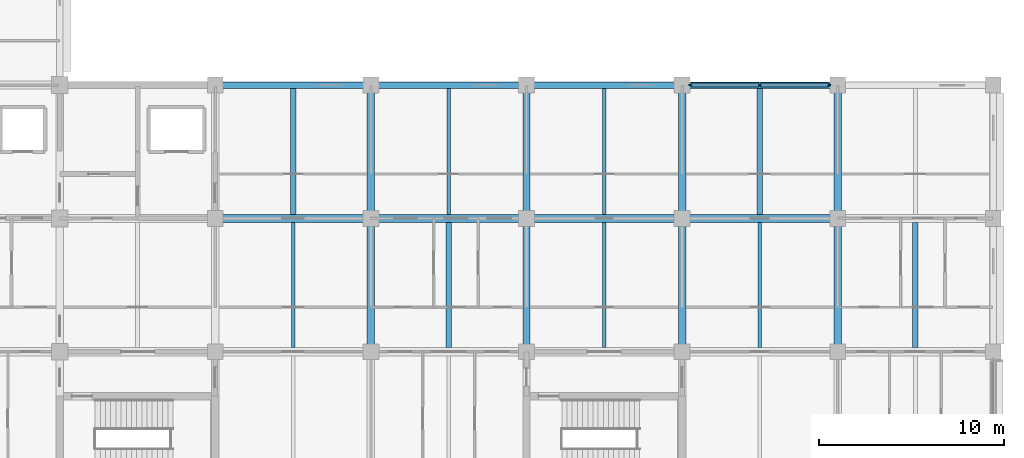
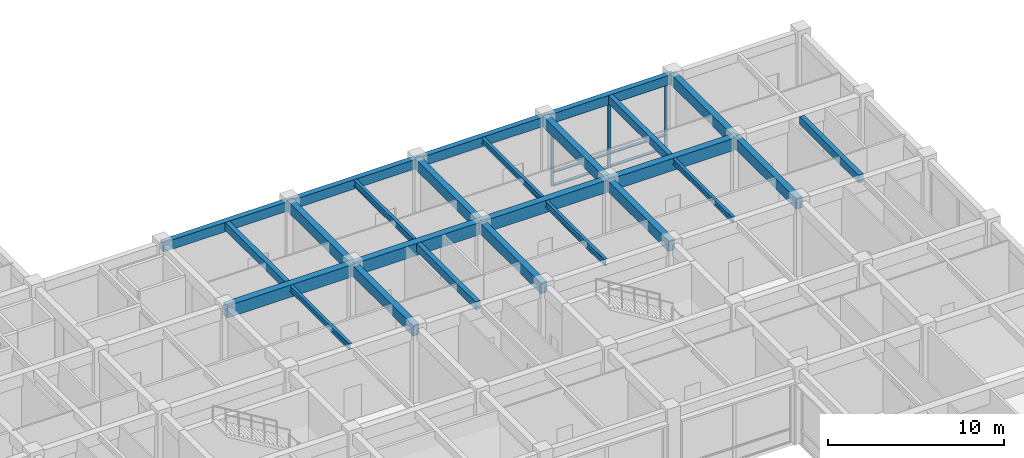
# One storey, part 16 of 51: 25 beams, 9 members, 1 element without a shape of its own.
"""IFC4 building model written with IfcOpenShell, lengths in metres."""

from ifc_helpers import new_model, si_unit, direction, frame, origin, origin_2d, place, context, subcontext, project, spatial, rectangle, i_section, extrude, material, layer, layer_set, material_profile, profile_set, type_object, element, aggregate, save


model = new_model("IFC4")

# Units and contexts
model_context = context("Model", 3, precision=1e-05, world=origin(), true_north=direction((0.0, 1.0)))
body_context = subcontext(model_context, "Body", "Model", "MODEL_VIEW")
ifc_project = project(units=[si_unit("LENGTHUNIT", "METRE"), si_unit("AREAUNIT", "SQUARE_METRE"), si_unit("VOLUMEUNIT", "CUBIC_METRE"), si_unit("PLANEANGLEUNIT", "RADIAN"), si_unit("MASSUNIT", "GRAM", prefix="KILO")], contexts=[model_context])

# Site, building, storey
site_placement = place(None, origin())
site = spatial("IfcSite", under=ifc_project, at=site_placement, CompositionType="ELEMENT")
building_placement = place(site_placement, origin())
building = spatial("IfcBuilding", under=site, at=building_placement, Name="Chengyuan Square Courthouse", CompositionType="ELEMENT")
storey_placement = place(building_placement, frame((0.0, 0.0, 10.800048828125)))
storey = spatial("IfcBuildingStorey", under=building, at=storey_placement, Name="L03", CompositionType="ELEMENT", Elevation=10.800048828125)

# Beams
ifc_material_1 = material(Name="Concrete C40", Category="concrete")
ifc_material_profile_1 = material_profile(ifc_material_1, rectangle(XDim=0.449951171875, YDim=0.85009765625, at=origin_2d()), Name="RC-BM-450x850")
ifc_profile_set_1 = profile_set([ifc_material_profile_1], Name="Concrete C40")
beam_type_1 = type_object("IfcBeamType", Name="BM-01", PredefinedType="USERDEFINED", material=ifc_profile_set_1)
beam_1_placement = place(storey_placement, frame((126.0, 100.800048828125, 4.695068359375), z_axis=(1.0, 0.0, 0.0), x_axis=(0.0, 1.0, 0.0)))
element("IfcBeam", 1, at=beam_1_placement, inside=storey, type_object=beam_type_1, Name="Girder BM-L03-2599", ObjectType="GIRDER", PredefinedType="USERDEFINED", context=body_context, shape_type="SweptSolid", body=[
    extrude(rectangle(XDim=0.449951171875, YDim=0.85009765625, at=origin_2d()), origin(), (0.0, 0.0, 1.0), 8.39990234375),
])
beam_2_placement = place(storey_placement, frame((134.39990234375, 100.800048828125, 4.695068359375), z_axis=(1.0, 0.0, 0.0), x_axis=(0.0, 1.0, 0.0)))
element("IfcBeam", 2, at=beam_2_placement, inside=storey, type_object=beam_type_1, Name="Girder BM-L03-2600", ObjectType="GIRDER", PredefinedType="USERDEFINED", context=body_context, shape_type="SweptSolid", body=[
    extrude(rectangle(XDim=0.449951171875, YDim=0.85009765625, at=origin_2d()), origin(), (0.0, 0.0, 1.0), 8.400146484375),
])
beam_3_placement = place(storey_placement, frame((142.800048828125, 100.800048828125, 4.695068359375), z_axis=(1.0, 0.0, 0.0), x_axis=(0.0, 1.0, 0.0)))
element("IfcBeam", 3, at=beam_3_placement, inside=storey, type_object=beam_type_1, Name="Girder BM-L03-2601", ObjectType="GIRDER", PredefinedType="USERDEFINED", context=body_context, shape_type="SweptSolid", body=[
    extrude(rectangle(XDim=0.449951171875, YDim=0.85009765625, at=origin_2d()), origin(), (0.0, 0.0, 1.0), 8.39990234375),
])
beam_4_placement = place(storey_placement, frame((151.199951171875, 100.800048828125, 4.695068359375), z_axis=(1.0, 0.0, 0.0), x_axis=(0.0, 1.0, 0.0)))
element("IfcBeam", 4, at=beam_4_placement, inside=storey, type_object=beam_type_1, Name="Girder BM-L03-2602", ObjectType="GIRDER", PredefinedType="USERDEFINED", context=body_context, shape_type="SweptSolid", body=[
    extrude(rectangle(XDim=0.449951171875, YDim=0.85009765625, at=origin_2d()), origin(), (0.0, 0.0, 1.0), 8.400146484375),
])
ifc_material_profile_2 = material_profile(ifc_material_1, rectangle(XDim=0.39990234375, YDim=0.75, at=origin_2d()), Name="RC-BM-400x750")
ifc_profile_set_2 = profile_set([ifc_material_profile_2], Name="Concrete C40")
beam_type_2 = type_object("IfcBeamType", Name="BM-02", PredefinedType="USERDEFINED", material=ifc_profile_set_2)
for number, where, z_axis, x_axis, name in (
    (5, (134.39990234375, 93.60009765625, 4.744873046875), (0.0, 1.0, 0.0), (-1.0, 0.0, 0.0), "Girder BM-L03-2723"),
    (6, (134.39990234375, 100.800048828125, 4.744873046875), (0.0, 1.0, 0.0), (-1.0, 0.0, 0.0), "Girder BM-L03-2724"),
    (7, (142.800048828125, 93.60009765625, 4.744873046875), (0.0, 1.0, 0.0), (-1.0, 0.0, 0.0), "Girder BM-L03-2727"),
    (8, (142.800048828125, 100.800048828125, 4.744873046875), (0.0, 1.0, 0.0), (-1.0, 0.0, 0.0), "Girder BM-L03-2728"),
    (9, (151.199951171875, 93.60009765625, 4.744873046875), (0.0, 1.0, 0.0), (-1.0, 0.0, 0.0), "Girder BM-L03-2737"),
    (10, (151.199951171875, 100.800048828125, 4.744873046875), (0.0, 1.0, 0.0), (-1.0, 0.0, 0.0), "Girder BM-L03-2738"),
    (11, (159.60009765625, 93.60009765625, 4.744873046875), (0.0, 1.0, 0.0), (-1.0, 0.0, 0.0), "Girder BM-L03-2741"),
    (12, (159.60009765625, 100.800048828125, 4.744873046875), (0.0, 1.0, 0.0), (-1.0, 0.0, 0.0), "Girder BM-L03-2742"),
):
    element("IfcBeam", number, at=place(storey_placement, frame(where, z_axis=z_axis, x_axis=x_axis)), inside=storey, type_object=beam_type_2, Name=name, ObjectType="GIRDER", PredefinedType="USERDEFINED", context=body_context, shape_type="SweptSolid", body=[
        extrude(rectangle(XDim=0.39990234375, YDim=0.75, at=origin_2d()), origin(), (0.0, 0.0, 1.0), 7.199951171875),
    ])
ifc_material_profile_3 = material_profile(ifc_material_1, rectangle(XDim=0.35009765625, YDim=0.64990234375, at=origin_2d()), Name="RC-BM-350x650")
ifc_profile_set_3 = profile_set([ifc_material_profile_3], Name="Concrete C40")
beam_type_3 = type_object("IfcBeamType", Name="BM-03", PredefinedType="SPANDREL", material=ifc_profile_set_3)
beam_5_placement = place(storey_placement, frame((126.0, 108.0, 4.794921875), z_axis=(1.0, 0.0, 0.0), x_axis=(0.0, 1.0, 0.0)))
element("IfcBeam", 13, at=beam_5_placement, inside=storey, type_object=beam_type_3, Name="Girder BM-L03-2619", PredefinedType="SPANDREL", context=body_context, shape_type="SweptSolid", body=[
    extrude(rectangle(XDim=0.35009765625, YDim=0.64990234375, at=origin_2d()), origin(), (0.0, 0.0, 1.0), 8.39990234375),
])
beam_6_placement = place(storey_placement, frame((134.39990234375, 108.0, 4.794921875), z_axis=(1.0, 0.0, 0.0), x_axis=(0.0, 1.0, 0.0)))
element("IfcBeam", 14, at=beam_6_placement, inside=storey, type_object=beam_type_3, Name="Girder BM-L03-2620", PredefinedType="SPANDREL", context=body_context, shape_type="SweptSolid", body=[
    extrude(rectangle(XDim=0.35009765625, YDim=0.64990234375, at=origin_2d()), origin(), (0.0, 0.0, 1.0), 8.400146484375),
])
beam_7_placement = place(storey_placement, frame((142.800048828125, 108.0, 4.794921875), z_axis=(1.0, 0.0, 0.0), x_axis=(0.0, 1.0, 0.0)))
element("IfcBeam", 15, at=beam_7_placement, inside=storey, type_object=beam_type_3, Name="Girder BM-L03-2621", PredefinedType="SPANDREL", context=body_context, shape_type="SweptSolid", body=[
    extrude(rectangle(XDim=0.35009765625, YDim=0.64990234375, at=origin_2d()), origin(), (0.0, 0.0, 1.0), 8.39990234375),
])
beam_8_placement = place(storey_placement, frame((151.199951171875, 108.0, 4.794921875), z_axis=(1.0, 0.0, 0.0), x_axis=(0.0, 1.0, 0.0)))
element("IfcBeam", 16, at=beam_8_placement, inside=storey, type_object=beam_type_3, Name="Girder BM-L03-2622", PredefinedType="SPANDREL", context=body_context, shape_type="SweptSolid", body=[
    extrude(rectangle(XDim=0.35009765625, YDim=0.64990234375, at=origin_2d()), origin(), (0.0, 0.0, 1.0), 8.400146484375),
])
ifc_material_profile_4 = material_profile(ifc_material_1, rectangle(XDim=0.300048828125, YDim=0.550048828125, at=origin_2d()), Name="RC-BM-300x550")
ifc_profile_set_4 = profile_set([ifc_material_profile_4], Name="Concrete C40")
beam_type_4 = type_object("IfcBeamType", Name="BM-04", PredefinedType="BEAM", material=ifc_profile_set_4)
beam_9_placement = place(storey_placement, frame((130.199951171875, 101.02490234375, 4.844970703125), z_axis=(0.0, 1.0, 0.0), x_axis=(-1.0, 0.0, 0.0)))
element("IfcBeam", 17, at=beam_9_placement, inside=storey, type_object=beam_type_4, Name="Secondary Floor Beam SBM-L03-2820", PredefinedType="BEAM", context=body_context, shape_type="SweptSolid", body=[
    extrude(rectangle(XDim=0.300048828125, YDim=0.550048828125, at=origin_2d()), origin(), (0.0, 0.0, 1.0), 6.800048828125),
])
beam_10_placement = place(storey_placement, frame((138.60009765625, 93.824951171875, 4.844970703125), z_axis=(0.0, 1.0, 0.0), x_axis=(-1.0, 0.0, 0.0)))
element("IfcBeam", 18, at=beam_10_placement, inside=storey, type_object=beam_type_4, Name="Secondary Floor Beam SBM-L03-2823", PredefinedType="BEAM", context=body_context, shape_type="SweptSolid", body=[
    extrude(rectangle(XDim=0.300048828125, YDim=0.550048828125, at=origin_2d()), origin(), (0.0, 0.0, 1.0), 6.75),
])
beam_11_placement = place(storey_placement, frame((155.39990234375, 101.02490234375, 4.844970703125), z_axis=(0.0, 1.0, 0.0), x_axis=(-1.0, 0.0, 0.0)))
element("IfcBeam", 19, at=beam_11_placement, inside=storey, type_object=beam_type_4, Name="Secondary Floor Beam SBM-L03-2834", PredefinedType="BEAM", context=body_context, shape_type="SweptSolid", body=[
    extrude(rectangle(XDim=0.300048828125, YDim=0.550048828125, at=origin_2d()), origin(), (0.0, 0.0, 1.0), 6.800048828125),
])
beam_12_placement = place(storey_placement, frame((163.800048828125, 93.824951171875, 4.844970703125), z_axis=(0.0, 1.0, 0.0), x_axis=(-1.0, 0.0, 0.0)))
element("IfcBeam", 20, at=beam_12_placement, inside=storey, type_object=beam_type_4, Name="Secondary Floor Beam SBM-L03-2841", PredefinedType="BEAM", context=body_context, shape_type="SweptSolid", body=[
    extrude(rectangle(XDim=0.300048828125, YDim=0.550048828125, at=origin_2d()), origin(), (0.0, 0.0, 1.0), 6.75),
])
ifc_material_2 = material(Name="Steel Q355B", Category="steel")
ifc_material_profile_5 = material_profile(ifc_material_2, i_section(OverallWidth=0.199951171875, OverallDepth=0.449951171875, WebThickness=0.009033203125, FlangeThickness=0.013916015625, at=origin_2d()), Name="HN 450x200x9x14")
ifc_profile_set_5 = profile_set([ifc_material_profile_5], Name="Steel Q355B")
beam_type_5 = type_object("IfcBeamType", Name="BM-06", PredefinedType="BEAM", material=ifc_profile_set_5)
beam_13_placement = place(storey_placement, frame((138.60009765625, 101.02490234375, 4.89501953125), z_axis=(0.0, 1.0, 0.0), x_axis=(-1.0, 0.0, 0.0)))
element("IfcBeam", 21, at=beam_13_placement, inside=storey, type_object=beam_type_5, Name="Secondary Floor Beam SBM-L03-2824", PredefinedType="BEAM", context=body_context, shape_type="SweptSolid", body=[
    extrude(i_section(OverallWidth=0.199951171875, OverallDepth=0.449951171875, WebThickness=0.009033203125, FlangeThickness=0.013916015625, at=origin_2d()), origin(), (0.0, 0.0, 1.0), 6.800048828125),
])
beam_14_placement = place(storey_placement, frame((147.0, 93.824951171875, 4.89501953125), z_axis=(0.0, 1.0, 0.0), x_axis=(-1.0, 0.0, 0.0)))
element("IfcBeam", 22, at=beam_14_placement, inside=storey, type_object=beam_type_5, Name="Secondary Floor Beam SBM-L03-2826", PredefinedType="BEAM", context=body_context, shape_type="SweptSolid", body=[
    extrude(i_section(OverallWidth=0.199951171875, OverallDepth=0.449951171875, WebThickness=0.009033203125, FlangeThickness=0.013916015625, at=origin_2d()), origin(), (0.0, 0.0, 1.0), 6.75),
])
ifc_material_profile_6 = material_profile(ifc_material_2, i_section(OverallWidth=0.199951171875, OverallDepth=0.39990234375, WebThickness=0.008056640625, FlangeThickness=0.012939453125, at=origin_2d()), Name="HN 400x200x8x13")
ifc_profile_set_6 = profile_set([ifc_material_profile_6], Name="Steel Q355B")
beam_type_6 = type_object("IfcBeamType", Name="BM-07", PredefinedType="BEAM", material=ifc_profile_set_6)
beam_15_placement = place(storey_placement, frame((130.199951171875, 93.824951171875, 4.919921875), z_axis=(0.0, 1.0, 0.0), x_axis=(-1.0, 0.0, 0.0)))
element("IfcBeam", 23, at=beam_15_placement, inside=storey, type_object=beam_type_6, Name="Secondary Floor Beam SBM-L03-2819", PredefinedType="BEAM", context=body_context, shape_type="SweptSolid", body=[
    extrude(i_section(OverallWidth=0.199951171875, OverallDepth=0.39990234375, WebThickness=0.008056640625, FlangeThickness=0.012939453125, at=origin_2d()), origin(), (0.0, 0.0, 1.0), 6.75),
])
beam_16_placement = place(storey_placement, frame((147.0, 101.02490234375, 4.919921875), z_axis=(0.0, 1.0, 0.0), x_axis=(-1.0, 0.0, 0.0)))
element("IfcBeam", 24, at=beam_16_placement, inside=storey, type_object=beam_type_6, Name="Secondary Floor Beam SBM-L03-2827", PredefinedType="BEAM", context=body_context, shape_type="SweptSolid", body=[
    extrude(i_section(OverallWidth=0.199951171875, OverallDepth=0.39990234375, WebThickness=0.008056640625, FlangeThickness=0.012939453125, at=origin_2d()), origin(), (0.0, 0.0, 1.0), 6.800048828125),
])
beam_17_placement = place(storey_placement, frame((155.39990234375, 93.824951171875, 4.919921875), z_axis=(0.0, 1.0, 0.0), x_axis=(-1.0, 0.0, 0.0)))
element("IfcBeam", 25, at=beam_17_placement, inside=storey, type_object=beam_type_6, Name="Secondary Floor Beam SBM-L03-2833", PredefinedType="BEAM", context=body_context, shape_type="SweptSolid", body=[
    extrude(i_section(OverallWidth=0.199951171875, OverallDepth=0.39990234375, WebThickness=0.008056640625, FlangeThickness=0.012939453125, at=origin_2d()), origin(), (0.0, 0.0, 1.0), 6.75),
])

# Curtain wall, members
ifc_material_3 = material(Name="Unitised Aluminium and Triple Low-E Glass", Category="aluminium")
ifc_layer = layer(ifc_material_3, 0.199951171875)
ifc_layer_set = layer_set([ifc_layer], Name="Unitised Aluminium and Triple Low-E Glass")
curtain_wall_type = type_object("IfcCurtainWallType", Name="CW-07", PredefinedType="USERDEFINED", material=ifc_layer_set)
curtain_wall_placement = place(storey_placement, origin())
curtain_wall = element("IfcCurtainWall", 26, at=curtain_wall_placement, inside=storey, type_object=curtain_wall_type, Name="Unitised Curtain Wall CW-L03-122", ObjectType="UNITISED CURTAIN WALL", PredefinedType="USERDEFINED")
ifc_material_4 = material(Name="Aluminium 6063-T6 Frame", Category="aluminium")
ifc_material_profile_7 = material_profile(ifc_material_4, rectangle(XDim=0.070068359375, YDim=0.199951171875, at=origin_2d()), Name="CW-MUL-70x200")
ifc_profile_set_7 = profile_set([ifc_material_profile_7], Name="Aluminium 6063-T6 Frame")
member_type_1 = type_object("IfcMemberType", Name="CWM-03", PredefinedType="MULLION", material=ifc_profile_set_7)
member_1_placement = place(storey_placement, frame((151.659912109375, 108.0, 0.0), z_axis=(0.0, 0.0, 1.0), x_axis=(0.0, 1.0, 0.0)))
member_1 = element("IfcMember", 27, at=member_1_placement, type_object=member_type_1, Name="CW-07 mullion 1", PredefinedType="MULLION", context=body_context, shape_type="SweptSolid", body=[
    extrude(rectangle(XDim=0.070068359375, YDim=0.199951171875, at=origin_2d()), origin(), (0.0, 0.0, 1.0), 4.469970703125),
])
member_2_placement = place(storey_placement, frame((155.39990234375, 108.0, 0.0), z_axis=(0.0, 0.0, 1.0), x_axis=(0.0, 1.0, 0.0)))
member_2 = element("IfcMember", 28, at=member_2_placement, type_object=member_type_1, Name="CW-07 mullion 2", PredefinedType="MULLION", context=body_context, shape_type="SweptSolid", body=[
    extrude(rectangle(XDim=0.070068359375, YDim=0.199951171875, at=origin_2d()), origin(), (0.0, 0.0, 1.0), 4.469970703125),
])
member_3_placement = place(storey_placement, frame((159.139892578125, 108.0, 0.0), z_axis=(0.0, 0.0, 1.0), x_axis=(0.0, 1.0, 0.0)))
member_3 = element("IfcMember", 29, at=member_3_placement, type_object=member_type_1, Name="CW-07 mullion 3", PredefinedType="MULLION", context=body_context, shape_type="SweptSolid", body=[
    extrude(rectangle(XDim=0.070068359375, YDim=0.199951171875, at=origin_2d()), origin(), (0.0, 0.0, 1.0), 4.469970703125),
])
ifc_material_profile_8 = material_profile(ifc_material_4, rectangle(XDim=0.199951171875, YDim=0.070068359375, at=origin_2d()), Name="CW-TRN-70x160")
ifc_profile_set_8 = profile_set([ifc_material_profile_8], Name="Aluminium 6063-T6 Frame")
member_type_2 = type_object("IfcMemberType", Name="CWT-03", PredefinedType="USERDEFINED", material=ifc_profile_set_8)
member_4_placement = place(storey_placement, frame((151.695068359375, 108.0, 0.034912109375), z_axis=(1.0, 0.0, 0.0), x_axis=(0.0, 1.0, 0.0)))
member_4 = element("IfcMember", 30, at=member_4_placement, type_object=member_type_2, Name="CW-07 transom 1.1", ObjectType="TRANSOM", PredefinedType="USERDEFINED", context=body_context, shape_type="SweptSolid", body=[
    extrude(rectangle(XDim=0.199951171875, YDim=0.070068359375, at=origin_2d()), origin(), (0.0, 0.0, 1.0), 3.669921875),
])
member_5_placement = place(storey_placement, frame((151.695068359375, 108.0, 0.949951171875), z_axis=(1.0, 0.0, 0.0), x_axis=(0.0, 1.0, 0.0)))
member_5 = element("IfcMember", 31, at=member_5_placement, type_object=member_type_2, Name="CW-07 transom 1.2", ObjectType="TRANSOM", PredefinedType="USERDEFINED", context=body_context, shape_type="SweptSolid", body=[
    extrude(rectangle(XDim=0.199951171875, YDim=0.070068359375, at=origin_2d()), origin(), (0.0, 0.0, 1.0), 3.669921875),
])
member_6_placement = place(storey_placement, frame((151.695068359375, 108.0, 4.43505859375), z_axis=(1.0, 0.0, 0.0), x_axis=(0.0, 1.0, 0.0)))
member_6 = element("IfcMember", 32, at=member_6_placement, type_object=member_type_2, Name="CW-07 transom 1.3", ObjectType="TRANSOM", PredefinedType="USERDEFINED", context=body_context, shape_type="SweptSolid", body=[
    extrude(rectangle(XDim=0.199951171875, YDim=0.070068359375, at=origin_2d()), origin(), (0.0, 0.0, 1.0), 3.669921875),
])
member_7_placement = place(storey_placement, frame((155.43505859375, 108.0, 0.034912109375), z_axis=(1.0, 0.0, 0.0), x_axis=(0.0, 1.0, 0.0)))
member_7 = element("IfcMember", 33, at=member_7_placement, type_object=member_type_2, Name="CW-07 transom 2.1", ObjectType="TRANSOM", PredefinedType="USERDEFINED", context=body_context, shape_type="SweptSolid", body=[
    extrude(rectangle(XDim=0.199951171875, YDim=0.070068359375, at=origin_2d()), origin(), (0.0, 0.0, 1.0), 3.669921875),
])
member_8_placement = place(storey_placement, frame((155.43505859375, 108.0, 0.949951171875), z_axis=(1.0, 0.0, 0.0), x_axis=(0.0, 1.0, 0.0)))
member_8 = element("IfcMember", 34, at=member_8_placement, type_object=member_type_2, Name="CW-07 transom 2.2", ObjectType="TRANSOM", PredefinedType="USERDEFINED", context=body_context, shape_type="SweptSolid", body=[
    extrude(rectangle(XDim=0.199951171875, YDim=0.070068359375, at=origin_2d()), origin(), (0.0, 0.0, 1.0), 3.669921875),
])
member_9_placement = place(storey_placement, frame((155.43505859375, 108.0, 4.43505859375), z_axis=(1.0, 0.0, 0.0), x_axis=(0.0, 1.0, 0.0)))
member_9 = element("IfcMember", 35, at=member_9_placement, type_object=member_type_2, Name="CW-07 transom 2.3", ObjectType="TRANSOM", PredefinedType="USERDEFINED", context=body_context, shape_type="SweptSolid", body=[
    extrude(rectangle(XDim=0.199951171875, YDim=0.070068359375, at=origin_2d()), origin(), (0.0, 0.0, 1.0), 3.669921875),
])
aggregate(curtain_wall, [member_1, member_2, member_3, member_4, member_5, member_6, member_7, member_8, member_9])

save(model, "model.ifc")
